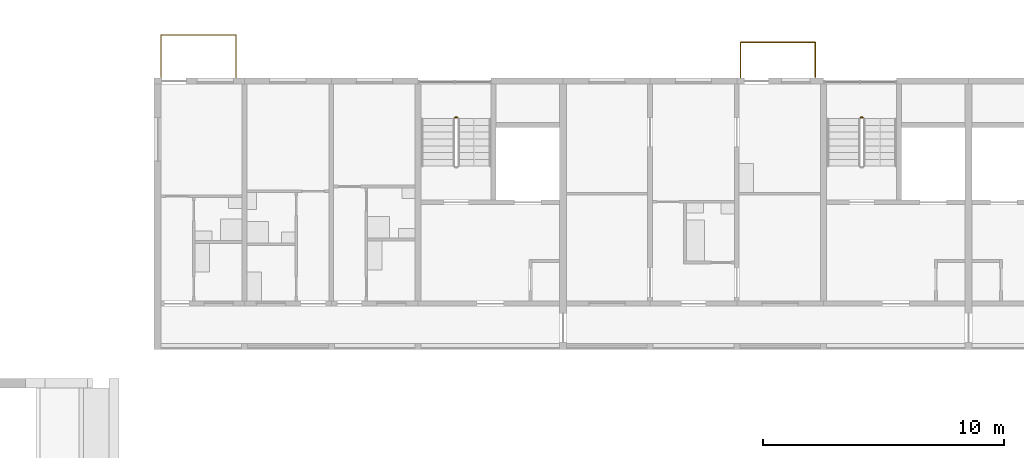
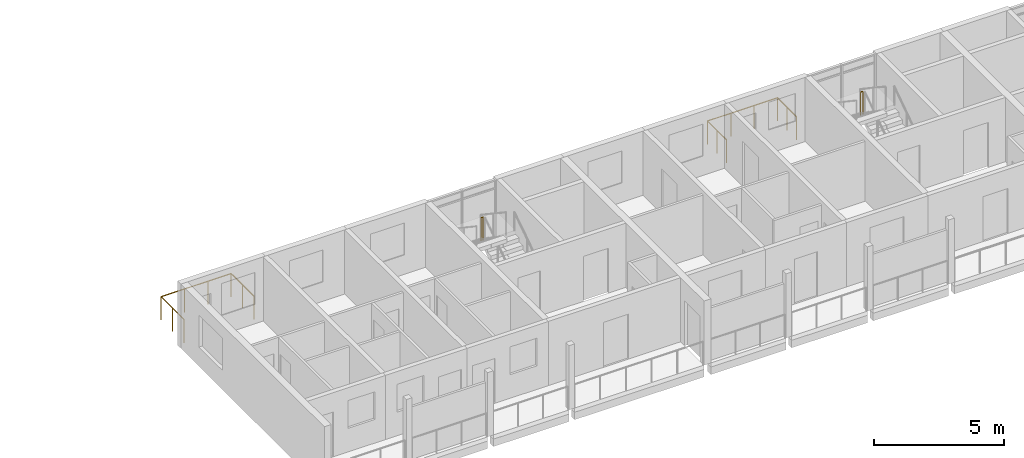
# One storey, part 95 of 100: 4 railings.
"""IFC4 building model written with IfcOpenShell, lengths in metres."""

import ifcopenshell
import ifcopenshell.guid

model = None  # the IFC model being written
_history = None  # IfcOwnerHistory: only IFC2X3 demands one
_inside = {}  # id of a spatial element -> (the spatial element, [elements in it])
_under = {}  # id of a project, library or spatial element -> (it, [spatial elements below it])
_declared = {}  # id of a project -> (the project, [libraries it declares])
_typed = {}  # id of a type object -> (the type object, [elements of that type])
_made_of = {}  # id of a material, layer set ... -> (it, [elements and type objects made of it])


def new_model(schema):
    """Start an empty IFC model of exactly this schema.

    Asked for "IFC4X3", IfcOpenShell would pick the latest addendum, in which some entities
    have other attributes; the version numbers below select the first issue.
    IFC2X3 requires an IfcOwnerHistory on every rooted entity: one is made here for all.
    """
    global model, _history
    if schema == "IFC4X3":
        model = ifcopenshell.file(schema_version=(4, 3, 0, 0))
    else:
        model = ifcopenshell.file(schema=schema)
    _inside.clear()
    _under.clear()
    _declared.clear()
    _typed.clear()
    _made_of.clear()
    _history = None
    if model.schema == "IFC2X3":
        org = make("IfcOrganization", Name="unknown")
        user = make(
            "IfcPersonAndOrganization",
            ThePerson=make("IfcPerson", FamilyName="unknown"),
            TheOrganization=org,
        )
        app = make(
            "IfcApplication",
            ApplicationDeveloper=org,
            Version="unknown",
            ApplicationFullName="unknown",
            ApplicationIdentifier="unknown",
        )
        _history = make(
            "IfcOwnerHistory",
            OwningUser=user,
            OwningApplication=app,
            ChangeAction="ADDED",
            CreationDate=0,
        )
    return model


def make(cls, **values):
    """One entity of the class cls with the attributes given. An attribute that is None is left unset."""
    return model.create_entity(
        cls, **{name: value for name, value in values.items() if value is not None}
    )


def rooted(cls, **values):
    """An entity with a GlobalId (a new one), such as an element, a storey or a relation."""
    return make(cls, GlobalId=ifcopenshell.guid.new(), OwnerHistory=_history, **values)


def si_unit(unit_type, name, prefix=None):
    """IfcSIUnit, for example si_unit("LENGTHUNIT", "METRE", prefix="MILLI")."""
    return make("IfcSIUnit", UnitType=unit_type, Prefix=prefix, Name=name)


def assignment(units):
    """IfcUnitAssignment: the units of a project."""
    return None if units is None else make("IfcUnitAssignment", Units=units)


def point(xyz):
    """IfcCartesianPoint."""
    return None if xyz is None else make("IfcCartesianPoint", Coordinates=xyz)


def direction(xyz):
    """IfcDirection."""
    return None if xyz is None else make("IfcDirection", DirectionRatios=xyz)


def frame(location, z_axis=None, x_axis=None):
    """IfcAxis2Placement3D, a coordinate frame: its origin and axes. An axis left out is left unset."""
    return make(
        "IfcAxis2Placement3D",
        Location=point(location),
        Axis=direction(z_axis),
        RefDirection=direction(x_axis),
    )


def frame_2d(location, x_axis=None):
    """IfcAxis2Placement2D, a coordinate frame in the plane: its origin and x axis."""
    return make(
        "IfcAxis2Placement2D", Location=point(location), RefDirection=direction(x_axis)
    )


def origin():
    """The frame at (0, 0, 0) with its axes left unset."""
    return frame((0.0, 0.0, 0.0))


def origin_2d():
    """The frame at (0, 0) in the plane with its x axis left unset."""
    return frame_2d((0.0, 0.0))


def place(relative_to, where):
    """IfcLocalPlacement: puts the frame where relative to a parent placement (None: the world)."""
    return make(
        "IfcLocalPlacement", PlacementRelTo=relative_to, RelativePlacement=where
    )


def context(
    kind, dimensions, precision=None, world=None, true_north=None, identifier=None
):
    """IfcGeometricRepresentationContext, for example the 3D "Model" context."""
    return make(
        "IfcGeometricRepresentationContext",
        ContextIdentifier=identifier,
        ContextType=kind,
        CoordinateSpaceDimension=dimensions,
        Precision=precision,
        WorldCoordinateSystem=world,
        TrueNorth=true_north,
    )


def subcontext(parent, identifier, kind, view, scale=None):
    """IfcGeometricRepresentationSubContext, for example "Body" below "Model"."""
    return make(
        "IfcGeometricRepresentationSubContext",
        ContextIdentifier=identifier,
        ContextType=kind,
        ParentContext=parent,
        TargetScale=scale,
        TargetView=view,
    )


def project(units=None, contexts=None):
    """IfcProject with its units and contexts."""
    return rooted(
        "IfcProject",
        Name="project",
        RepresentationContexts=contexts,
        UnitsInContext=assignment(units),
    )


def spatial(cls, under=None, at=None, **own):
    """A site, building, storey or space (cls), placed at a placement, below another one or the project."""
    s = rooted(cls, ObjectPlacement=at, **own)
    if under is not None:
        _under.setdefault(under.id(), (under, []))[1].append(s)
    return s


def profile(cls, at=None, kind="AREA", **sizes):
    """A parametric profile (cls). Its sizes go by their IFC names, for example OverallWidth=200.0."""
    return make(cls, ProfileType=kind, Position=at, **sizes)


def circle(**sizes):
    """IfcCircleProfileDef."""
    return profile("IfcCircleProfileDef", **sizes)


def extrude(swept, where, along, depth):
    """IfcExtrudedAreaSolid: the profile swept, set in the frame where, extruded along a direction by depth."""
    return make(
        "IfcExtrudedAreaSolid",
        SweptArea=swept,
        Position=where,
        ExtrudedDirection=direction(along),
        Depth=depth,
    )


def shape(context_of_items, identifier, shape_type, items):
    """IfcShapeRepresentation: the items that make up one representation, for example the "Body"."""
    return make(
        "IfcShapeRepresentation",
        ContextOfItems=context_of_items,
        RepresentationIdentifier=identifier,
        RepresentationType=shape_type,
        Items=items,
    )


def material(Name=None, Category=None):
    """IfcMaterial."""
    return make("IfcMaterial", Name=Name, Category=Category)


def made_of(thing, what):
    """Note that an element or type object is made of a material, layer set ...; save() writes the relation."""
    if what is not None:
        _made_of.setdefault(what.id(), (what, []))[1].append(thing)
    return thing


def type_object(cls, material=None, **own):
    """A type object (cls), such as IfcWallType, which elements share."""
    return made_of(rooted(cls, **own), material)


def element(
    cls,
    number,
    at=None,
    inside=None,
    cuts=None,
    type_object=None,
    material=None,
    context=None,
    identifier="Body",
    shape_type=None,
    held_by="IfcProductDefinitionShape",
    body=None,
    shapes=None,
    **own,
):
    """One element of the class cls, such as IfcWall. Its Tag is "e" and its number.

    at: its placement. inside: the storey or other place that contains it. cuts: it is an
    opening in that element (IfcRelVoidsElement). A single representation is given by context,
    identifier, shape_type and body (its items); several are given by shapes. held_by: the class
    of the entity that holds the representations. save() writes the other relations.
    """
    e = rooted(cls, Tag="e%d" % number, ObjectPlacement=at, **own)
    if body is not None:
        shapes = [shape(context, identifier, shape_type, body)]
    if shapes is not None:
        e.Representation = make(held_by, Representations=shapes)
    if inside is not None:
        _inside.setdefault(inside.id(), (inside, []))[1].append(e)
    if cuts is not None:
        rooted(
            "IfcRelVoidsElement", RelatingBuildingElement=cuts, RelatedOpeningElement=e
        )
    if type_object is not None:
        _typed.setdefault(type_object.id(), (type_object, []))[1].append(e)
    return made_of(e, material)


def aggregate(whole, parts):
    """IfcRelAggregates: a whole, such as a stair, and the parts it consists of."""
    return rooted("IfcRelAggregates", RelatingObject=whole, RelatedObjects=parts)


def save(model, path):
    """Write the relations noted so far, then the file.

    IfcRelAggregates (storeys below a building ...), IfcRelContainedInSpatialStructure (elements
    in a storey), IfcRelDefinesByType, IfcRelAssociatesMaterial and IfcRelDeclares: one each for
    every whole, place, type object, material and project.
    """
    for whole, parts in _under.values():
        aggregate(whole, parts)
    for where, things in _inside.values():
        rooted(
            "IfcRelContainedInSpatialStructure",
            RelatedElements=things,
            RelatingStructure=where,
        )
    for kind, things in _typed.values():
        rooted("IfcRelDefinesByType", RelatedObjects=things, RelatingType=kind)
    for what, things in _made_of.values():
        rooted("IfcRelAssociatesMaterial", RelatedObjects=things, RelatingMaterial=what)
    for by, libraries in _declared.values():
        rooted("IfcRelDeclares", RelatingContext=by, RelatedDefinitions=libraries)
    model.write(path)


model = new_model("IFC4")

# Units and contexts
model_context = context("Model", 3, precision=1e-05, world=origin(), true_north=direction((0.0, 1.0)))
body_context = subcontext(model_context, "Body", "Model", "MODEL_VIEW")
ifc_project = project(units=[si_unit("LENGTHUNIT", "METRE"), si_unit("AREAUNIT", "SQUARE_METRE"), si_unit("VOLUMEUNIT", "CUBIC_METRE"), si_unit("PLANEANGLEUNIT", "RADIAN"), si_unit("MASSUNIT", "GRAM", prefix="KILO")], contexts=[model_context])

# Site, building, storey
site_placement = place(None, origin())
site = spatial("IfcSite", under=ifc_project, at=site_placement, CompositionType="ELEMENT")
building_placement = place(site_placement, origin())
building = spatial("IfcBuilding", under=site, at=building_placement, Name="Ridgestep Commons", CompositionType="ELEMENT")
storey_placement = place(building_placement, frame((0.0, 0.0, 9.0)))
storey = spatial("IfcBuildingStorey", under=building, at=storey_placement, Name="L03", CompositionType="ELEMENT", Elevation=9.0)

# Railings
ifc_material_1 = material(Name="Structural steel S355JR", Category="steel")
railing_type_1 = type_object("IfcRailingType", Name="Stair guard 1100", PredefinedType="GUARDRAIL", material=ifc_material_1)
railing_1_placement = place(storey_placement, frame((159.22509765625, 75.610107421875, 1.5)))
element("IfcRailing", 1, at=railing_1_placement, inside=storey, type_object=railing_type_1, Name="L03 C1C stair guard 2", PredefinedType="GUARDRAIL", context=body_context, shape_type="SweptSolid", body=[
    extrude(circle(Radius=0.02392578125, at=origin_2d()), frame((0.0, 0.0, 1.076171875), z_axis=(-1.0, 0.0, 0.0), x_axis=(0.0, -1.0, 0.0)), (0.0, 0.0, 1.0), 0.10009765625),
    extrude(circle(Radius=0.02099609375, at=origin_2d()), origin(), (0.0, 0.0, 1.0), 1.052001953125),
    extrude(circle(Radius=0.02099609375, at=origin_2d()), frame((-0.10009765625, 0.0, 0.0)), (0.0, 0.0, 1.0), 1.052001953125),
])
railing_2_placement = place(storey_placement, frame((176.02490234375, 75.610107421875, 1.5)))
element("IfcRailing", 2, at=railing_2_placement, inside=storey, type_object=railing_type_1, Name="L03 C2C stair guard 2", PredefinedType="GUARDRAIL", context=body_context, shape_type="SweptSolid", body=[
    extrude(circle(Radius=0.02392578125, at=origin_2d()), frame((0.0, 0.0, 1.076171875), z_axis=(-1.0, 0.0, 0.0), x_axis=(0.0, -1.0, 0.0)), (0.0, 0.0, 1.0), 0.099853515625),
    extrude(circle(Radius=0.02099609375, at=origin_2d()), origin(), (0.0, 0.0, 1.0), 1.052001953125),
    extrude(circle(Radius=0.02099609375, at=origin_2d()), frame((-0.099853515625, 0.0, 0.0)), (0.0, 0.0, 1.0), 1.052001953125),
])
ifc_material_2 = material(Name="Weathering steel S355J2W", Category="steel")
railing_type_2 = type_object("IfcRailingType", Name="Tray guard 1100", PredefinedType="GUARDRAIL", material=ifc_material_2)
railing_3_placement = place(storey_placement, frame((170.950927734375, 77.27099609375, 0.0)))
element("IfcRailing", 3, at=railing_3_placement, inside=storey, type_object=railing_type_2, Name="Tray guard C2T3-03", PredefinedType="GUARDRAIL", context=body_context, shape_type="SweptSolid", body=[
    extrude(circle(Radius=0.02392578125, at=origin_2d()), frame((0.0, 0.0, 1.076171875), z_axis=(0.0, 1.0, 0.0), x_axis=(-1.0, 0.0, 0.0)), (0.0, 0.0, 1.0), 1.4580078125),
    extrude(circle(Radius=0.02392578125, at=origin_2d()), frame((0.0, 1.4580078125, 1.076171875), z_axis=(1.0, 0.0, 0.0), x_axis=(0.0, 1.0, 0.0)), (0.0, 0.0, 1.0), 3.09814453125),
    extrude(circle(Radius=0.02392578125, at=origin_2d()), frame((3.09814453125, 1.4580078125, 1.076171875), z_axis=(0.0, -1.0, 0.0), x_axis=(1.0, 0.0, 0.0)), (0.0, 0.0, 1.0), 1.4580078125),
    extrude(circle(Radius=0.02099609375, at=origin_2d()), origin(), (0.0, 0.0, 1.0), 1.052001953125),
    extrude(circle(Radius=0.02099609375, at=origin_2d()), frame((0.0, 0.72900390625, 0.0)), (0.0, 0.0, 1.0), 1.052001953125),
    extrude(circle(Radius=0.02099609375, at=origin_2d()), frame((0.0, 1.4580078125, 0.0)), (0.0, 0.0, 1.0), 1.052001953125),
    extrude(circle(Radius=0.02099609375, at=origin_2d()), frame((1.03271484375, 1.4580078125, 0.0)), (0.0, 0.0, 1.0), 1.052001953125),
    extrude(circle(Radius=0.02099609375, at=origin_2d()), frame((2.0654296875, 1.4580078125, 0.0)), (0.0, 0.0, 1.0), 1.052001953125),
    extrude(circle(Radius=0.02099609375, at=origin_2d()), frame((3.09814453125, 1.4580078125, 0.0)), (0.0, 0.0, 1.0), 1.052001953125),
    extrude(circle(Radius=0.02099609375, at=origin_2d()), frame((3.09814453125, 0.72900390625, 0.0)), (0.0, 0.0, 1.0), 1.052001953125),
    extrude(circle(Radius=0.02099609375, at=origin_2d()), frame((3.09814453125, 0.0, 0.0)), (0.0, 0.0, 1.0), 1.052001953125),
])
railing_4_placement = place(storey_placement, frame((146.950927734375, 77.27099609375, 0.0)))
element("IfcRailing", 4, at=railing_4_placement, inside=storey, type_object=railing_type_2, Name="Tray guard C1T1-03", PredefinedType="GUARDRAIL", context=body_context, shape_type="SweptSolid", body=[
    extrude(circle(Radius=0.02392578125, at=origin_2d()), frame((0.0, 0.0, 1.076171875), z_axis=(0.0, 1.0, 0.0), x_axis=(-1.0, 0.0, 0.0)), (0.0, 0.0, 1.0), 1.758056640625),
    extrude(circle(Radius=0.02392578125, at=origin_2d()), frame((0.0, 1.758056640625, 1.076171875), z_axis=(1.0, 0.0, 0.0), x_axis=(0.0, 1.0, 0.0)), (0.0, 0.0, 1.0), 3.09814453125),
    extrude(circle(Radius=0.02392578125, at=origin_2d()), frame((3.09814453125, 1.758056640625, 1.076171875), z_axis=(0.0, -1.0, 0.0), x_axis=(1.0, 0.0, 0.0)), (0.0, 0.0, 1.0), 1.758056640625),
    extrude(circle(Radius=0.02099609375, at=origin_2d()), origin(), (0.0, 0.0, 1.0), 1.052001953125),
    extrude(circle(Radius=0.02099609375, at=origin_2d()), frame((0.0, 0.87890625, 0.0)), (0.0, 0.0, 1.0), 1.052001953125),
    extrude(circle(Radius=0.02099609375, at=origin_2d()), frame((0.0, 1.758056640625, 0.0)), (0.0, 0.0, 1.0), 1.052001953125),
    extrude(circle(Radius=0.02099609375, at=origin_2d()), frame((1.03271484375, 1.758056640625, 0.0)), (0.0, 0.0, 1.0), 1.052001953125),
    extrude(circle(Radius=0.02099609375, at=origin_2d()), frame((2.0654296875, 1.758056640625, 0.0)), (0.0, 0.0, 1.0), 1.052001953125),
    extrude(circle(Radius=0.02099609375, at=origin_2d()), frame((3.09814453125, 1.758056640625, 0.0)), (0.0, 0.0, 1.0), 1.052001953125),
    extrude(circle(Radius=0.02099609375, at=origin_2d()), frame((3.09814453125, 0.87890625, 0.0)), (0.0, 0.0, 1.0), 1.052001953125),
    extrude(circle(Radius=0.02099609375, at=origin_2d()), frame((3.09814453125, 0.0, 0.0)), (0.0, 0.0, 1.0), 1.052001953125),
])

save(model, "model.ifc")
